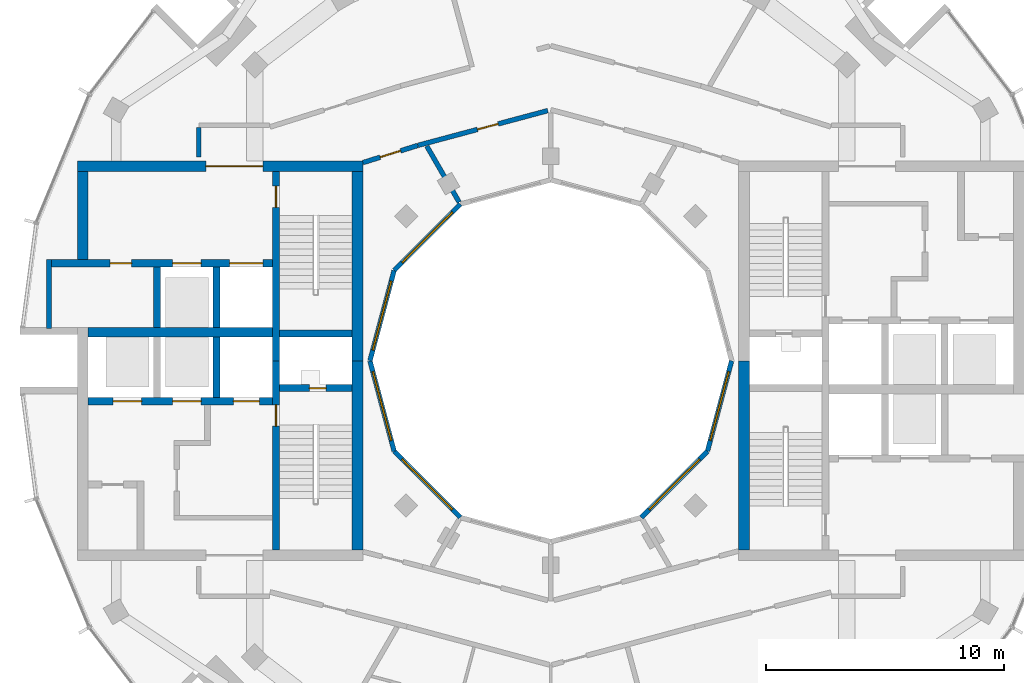
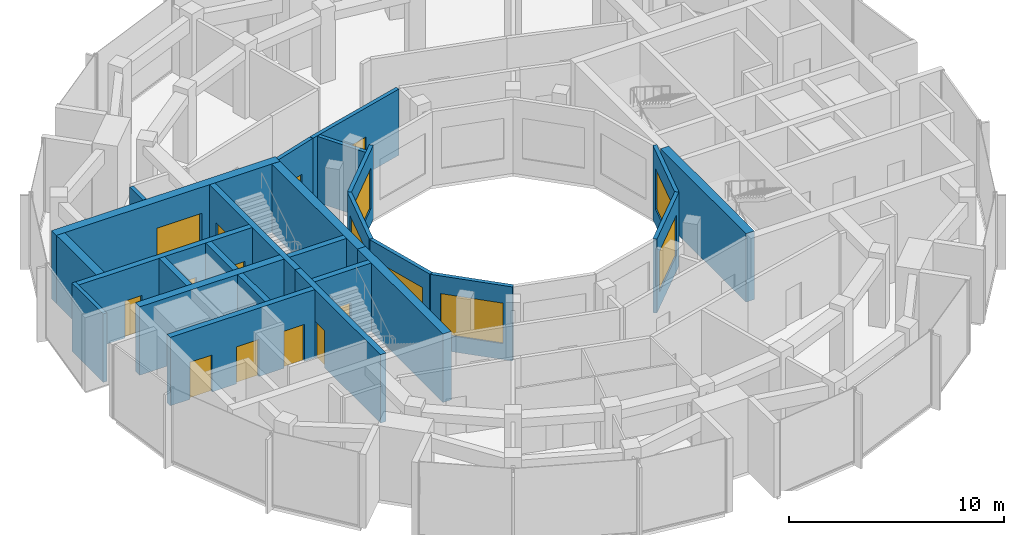
# One storey, part 9 of 13: 26 walls, 12 doors, 6 windows, 18 openings.
"""IFC4 building model written with IfcOpenShell, lengths in metres."""

from ifc_helpers import new_model, si_unit, direction, frame, frame_2d, origin, place, context, subcontext, project, spatial, rectangle, extrude, material, layer, layer_set, type_object, element, fill, save


model = new_model("IFC4")

# Units and contexts
model_context = context("Model", 3, precision=1e-05, world=origin(), true_north=direction((0.0, 1.0)))
body_context = subcontext(model_context, "Body", "Model", "MODEL_VIEW")
ifc_project = project(units=[si_unit("LENGTHUNIT", "METRE"), si_unit("AREAUNIT", "SQUARE_METRE"), si_unit("VOLUMEUNIT", "CUBIC_METRE"), si_unit("PLANEANGLEUNIT", "RADIAN"), si_unit("MASSUNIT", "GRAM", prefix="KILO")], contexts=[model_context])

# Site, building, storey
site_placement = place(None, origin())
site = spatial("IfcSite", under=ifc_project, at=site_placement, CompositionType="ELEMENT")
building_placement = place(site_placement, origin())
building = spatial("IfcBuilding", under=site, at=building_placement, Name="Torre Brocal", CompositionType="ELEMENT")
storey_placement = place(building_placement, frame((0.0, 0.0, 296.699951171875)))
storey = spatial("IfcBuildingStorey", under=building, at=storey_placement, Name="L68", CompositionType="ELEMENT", Elevation=296.699951171875)

# Wall
ifc_material_1 = material(Name="Masonry block", Category="masonry")
ifc_layer_1 = layer(ifc_material_1, 0.199951171875)
ifc_layer_set_1 = layer_set([ifc_layer_1], Name="Masonry block")
wall_type_1 = type_object("IfcWallType", Name="CORE PARTITION 200", PredefinedType="PARTITIONING", material=ifc_layer_set_1)
wall_1_placement = place(storey_placement, frame((58.89990234375, 79.25, 0.0), z_axis=(0.0, 0.0, 1.0), x_axis=(0.0, -1.0, 0.0)))
element("IfcWall", 1, at=wall_1_placement, inside=storey, type_object=wall_type_1, Name="Wall CP200", PredefinedType="PARTITIONING", context=body_context, shape_type="SweptSolid", body=[
    extrude(rectangle(XDim=2.89990234375, YDim=0.199951171875, at=frame_2d((1.449951171875, 0.0))), origin(), (0.0, 0.0, 1.0), 3.880126953125),
])

# Wall, opening, door
ifc_material_2 = material(Name="Concrete C50", Category="concrete")
ifc_layer_2 = layer(ifc_material_2, 0.300048828125)
ifc_layer_set_2 = layer_set([ifc_layer_2], Name="Concrete C50")
wall_type_2 = type_object("IfcWallType", Name="CORE WALL 300 C50", PredefinedType="SHEAR", material=ifc_layer_set_2)
wall_2_placement = place(storey_placement, frame((68.449951171875, 75.0, 0.0), z_axis=(0.0, 0.0, 1.0), x_axis=(0.0, -1.0, 0.0)))
wall_2 = element("IfcWall", 2, at=wall_2_placement, inside=storey, type_object=wall_type_2, Name="Wall CW300-50", PredefinedType="SHEAR", context=body_context, shape_type="SweptSolid", body=[
    extrude(rectangle(XDim=7.949951171875, YDim=0.300048828125, at=frame_2d((3.97509765625, 0.0))), origin(), (0.0, 0.0, 1.0), 3.880126953125),
])
opening_1_placement = place(wall_2_placement, frame((1.85009765625, 0.0, 0.0)))
opening_1 = element("IfcOpeningElement", 3, at=opening_1_placement, cuts=wall_2, Name="Opening W-D02", PredefinedType="OPENING", context=body_context, shape_type="SweptSolid", body=[
    extrude(rectangle(XDim=0.89990234375, YDim=2.10009765625, at=frame_2d((0.449951171875, 1.050048828125))), frame((0.0, 0.159912109375, 0.0), z_axis=(0.0, -1.0, 0.0), x_axis=(1.0, 0.0, 0.0)), (0.0, 0.0, 1.0), 0.320068359375),
])
ifc_material_3 = material(Name="Steel A653", Category="steel")
door_type_1 = type_object("IfcDoorType", Name="STAIR DOOR FD120 900X2100", OperationType="SINGLE_SWING_RIGHT", PredefinedType="DOOR", material=ifc_material_3)
door_1_placement = place(opening_1_placement, origin())
door_1 = element("IfcDoor", 4, at=door_1_placement, inside=storey, type_object=door_type_1, Name="Door W-D02", OperationType="SINGLE_SWING_LEFT", OverallHeight=2.10009765625, OverallWidth=0.89990234375, PredefinedType="DOOR", context=body_context, shape_type="SweptSolid", body=[
    extrude(rectangle(XDim=0.89990234375, YDim=2.10009765625, at=frame_2d((0.449951171875, 1.050048828125))), frame((0.0, 0.02490234375, 0.0), z_axis=(0.0, -1.0, 0.0), x_axis=(1.0, 0.0, 0.0)), (0.0, 0.0, 1.0), 0.050048828125),
])
fill(opening_1, door_1)

wall_3_placement = place(storey_placement, frame((68.449951171875, 82.949951171875, 0.0), z_axis=(0.0, 0.0, 1.0), x_axis=(0.0, -1.0, 0.0)))
wall_3 = element("IfcWall", 5, at=wall_3_placement, inside=storey, type_object=wall_type_2, Name="Wall CW300-50", PredefinedType="SHEAR", context=body_context, shape_type="SweptSolid", body=[
    extrude(rectangle(XDim=7.949951171875, YDim=0.300048828125, at=frame_2d((3.97509765625, 0.0))), origin(), (0.0, 0.0, 1.0), 3.880126953125),
])
opening_2_placement = place(wall_3_placement, frame((0.60009765625, 0.0, 0.0)))
opening_2 = element("IfcOpeningElement", 6, at=opening_2_placement, cuts=wall_3, Name="Opening W-D03", PredefinedType="OPENING", context=body_context, shape_type="SweptSolid", body=[
    extrude(rectangle(XDim=0.89990234375, YDim=2.10009765625, at=frame_2d((0.449951171875, 1.050048828125))), frame((0.0, 0.159912109375, 0.0), z_axis=(0.0, -1.0, 0.0), x_axis=(1.0, 0.0, 0.0)), (0.0, 0.0, 1.0), 0.320068359375),
])
door_2_placement = place(opening_2_placement, origin())
door_2 = element("IfcDoor", 7, at=door_2_placement, inside=storey, type_object=door_type_1, Name="Door W-D03", OperationType="SINGLE_SWING_LEFT", OverallHeight=2.10009765625, OverallWidth=0.89990234375, PredefinedType="DOOR", context=body_context, shape_type="SweptSolid", body=[
    extrude(rectangle(XDim=0.89990234375, YDim=2.10009765625, at=frame_2d((0.449951171875, 1.050048828125))), frame((0.0, 0.02490234375, 0.0), z_axis=(0.0, -1.0, 0.0), x_axis=(1.0, 0.0, 0.0)), (0.0, 0.0, 1.0), 0.050048828125),
])
fill(opening_2, door_2)

wall_4_placement = place(storey_placement, frame((71.64990234375, 73.85009765625, 0.0), z_axis=(0.0, 0.0, 1.0), x_axis=(-1.0, 0.0, 0.0)))
wall_4 = element("IfcWall", 8, at=wall_4_placement, inside=storey, type_object=wall_type_2, Name="Wall CW300-50", PredefinedType="SHEAR", context=body_context, shape_type="SweptSolid", body=[
    extrude(rectangle(XDim=3.0498046875, YDim=0.300048828125, at=frame_2d((1.52490234375, 0.0))), origin(), (0.0, 0.0, 1.0), 3.880126953125),
])
opening_3_placement = place(wall_4_placement, frame((1.10009765625, 0.0, 0.0)))
opening_3 = element("IfcOpeningElement", 9, at=opening_3_placement, cuts=wall_4, Name="Opening W-D01", PredefinedType="OPENING", context=body_context, shape_type="SweptSolid", body=[
    extrude(rectangle(XDim=0.699951171875, YDim=2.0, at=frame_2d((0.35009765625, 1.0))), frame((0.0, 0.159912109375, 0.0), z_axis=(0.0, -1.0, 0.0), x_axis=(1.0, 0.0, 0.0)), (0.0, 0.0, 1.0), 0.320068359375),
])
ifc_material_4 = material(Name="Steel A653", Category="steel")
door_type_2 = type_object("IfcDoorType", Name="RISER DOOR FD120 700X2000", OperationType="SINGLE_SWING_LEFT", PredefinedType="DOOR", material=ifc_material_4)
door_3_placement = place(opening_3_placement, frame((0.699951171875, 0.0, 0.0), z_axis=(0.0, 0.0, 1.0), x_axis=(-1.0, 0.0, 0.0)))
door_3 = element("IfcDoor", 10, at=door_3_placement, inside=storey, type_object=door_type_2, Name="Door W-D01", OperationType="SINGLE_SWING_RIGHT", OverallHeight=2.0, OverallWidth=0.699951171875, PredefinedType="DOOR", context=body_context, shape_type="SweptSolid", body=[
    extrude(rectangle(XDim=0.699951171875, YDim=2.0, at=frame_2d((0.35009765625, 1.0))), frame((0.0, 0.02490234375, 0.0), z_axis=(0.0, -1.0, 0.0), x_axis=(1.0, 0.0, 0.0)), (0.0, 0.0, 1.0), 0.050048828125),
])
fill(opening_3, door_3)

# Wall
wall_5_placement = place(storey_placement, frame((71.64990234375, 76.14990234375, 0.0), z_axis=(0.0, 0.0, 1.0), x_axis=(-1.0, 0.0, 0.0)))
element("IfcWall", 11, at=wall_5_placement, inside=storey, type_object=wall_type_2, Name="Wall CW300-50", PredefinedType="SHEAR", context=body_context, shape_type="SweptSolid", body=[
    extrude(rectangle(XDim=3.0498046875, YDim=0.300048828125, at=frame_2d((1.52490234375, 0.0))), origin(), (0.0, 0.0, 1.0), 3.880126953125),
])

# Wall, openings, doors
wall_6_placement = place(storey_placement, frame((68.300048828125, 73.300048828125, 0.0), z_axis=(0.0, 0.0, 1.0), x_axis=(-1.0, 0.0, 0.0)))
wall_6 = element("IfcWall", 12, at=wall_6_placement, inside=storey, type_object=wall_type_2, Name="Wall CW300-50", PredefinedType="SHEAR", context=body_context, shape_type="SweptSolid", body=[
    extrude(rectangle(XDim=7.75, YDim=0.300048828125, at=frame_2d((3.875, 0.0))), origin(), (0.0, 0.0, 1.0), 3.880126953125),
])
opening_4_placement = place(wall_6_placement, frame((0.550048828125, 0.0, 0.0)))
opening_4 = element("IfcOpeningElement", 13, at=opening_4_placement, cuts=wall_6, Name="Opening LD", PredefinedType="OPENING", context=body_context, shape_type="SweptSolid", body=[
    extrude(rectangle(XDim=1.10009765625, YDim=2.10009765625, at=frame_2d((0.550048828125, 1.050048828125))), frame((0.0, 0.159912109375, 0.0), z_axis=(0.0, -1.0, 0.0), x_axis=(1.0, 0.0, 0.0)), (0.0, 0.0, 1.0), 0.320068359375),
])
opening_5_placement = place(wall_6_placement, frame((3.0, 0.0, 0.0)))
opening_5 = element("IfcOpeningElement", 14, at=opening_5_placement, cuts=wall_6, Name="Opening LD12", PredefinedType="OPENING", context=body_context, shape_type="SweptSolid", body=[
    extrude(rectangle(XDim=1.199951171875, YDim=2.10009765625, at=frame_2d((0.60009765625, 1.050048828125))), frame((0.0, 0.159912109375, 0.0), z_axis=(0.0, -1.0, 0.0), x_axis=(1.0, 0.0, 0.0)), (0.0, 0.0, 1.0), 0.320068359375),
])
opening_6_placement = place(wall_6_placement, frame((5.5, 0.0, 0.0)))
opening_6 = element("IfcOpeningElement", 15, at=opening_6_placement, cuts=wall_6, Name="Opening LD12", PredefinedType="OPENING", context=body_context, shape_type="SweptSolid", body=[
    extrude(rectangle(XDim=1.199951171875, YDim=2.10009765625, at=frame_2d((0.60009765625, 1.050048828125))), frame((0.0, 0.159912109375, 0.0), z_axis=(0.0, -1.0, 0.0), x_axis=(1.0, 0.0, 0.0)), (0.0, 0.0, 1.0), 0.320068359375),
])
ifc_material_5 = material(Name="Stainless steel AISI 316", Category="steel")
door_type_3 = type_object("IfcDoorType", Name="LIFT LANDING DOOR 1100X2100", OperationType="DOUBLE_DOOR_SLIDING", PredefinedType="DOOR", material=ifc_material_5)
door_4_placement = place(opening_4_placement, origin())
door_4 = element("IfcDoor", 16, at=door_4_placement, inside=storey, type_object=door_type_3, Name="Door LD", OperationType="DOUBLE_DOOR_SLIDING", OverallHeight=2.10009765625, OverallWidth=1.10009765625, PredefinedType="DOOR", context=body_context, shape_type="SweptSolid", body=[
    extrude(rectangle(XDim=1.10009765625, YDim=2.10009765625, at=frame_2d((0.550048828125, 1.050048828125))), frame((0.0, 0.02490234375, 0.0), z_axis=(0.0, -1.0, 0.0), x_axis=(1.0, 0.0, 0.0)), (0.0, 0.0, 1.0), 0.050048828125),
])
fill(opening_4, door_4)
ifc_material_6 = material(Name="Stainless steel AISI 316", Category="steel")
door_type_4 = type_object("IfcDoorType", Name="LIFT LANDING DOOR 1200X2100", OperationType="DOUBLE_DOOR_SLIDING", PredefinedType="DOOR", material=ifc_material_6)
door_5_placement = place(opening_5_placement, origin())
door_5 = element("IfcDoor", 17, at=door_5_placement, inside=storey, type_object=door_type_4, Name="Door LD12", OperationType="DOUBLE_DOOR_SLIDING", OverallHeight=2.10009765625, OverallWidth=1.199951171875, PredefinedType="DOOR", context=body_context, shape_type="SweptSolid", body=[
    extrude(rectangle(XDim=1.199951171875, YDim=2.10009765625, at=frame_2d((0.60009765625, 1.050048828125))), frame((0.0, 0.02490234375, 0.0), z_axis=(0.0, -1.0, 0.0), x_axis=(1.0, 0.0, 0.0)), (0.0, 0.0, 1.0), 0.050048828125),
])
fill(opening_5, door_5)
door_6_placement = place(opening_6_placement, origin())
door_6 = element("IfcDoor", 18, at=door_6_placement, inside=storey, type_object=door_type_4, Name="Door LD12", OperationType="DOUBLE_DOOR_SLIDING", OverallHeight=2.10009765625, OverallWidth=1.199951171875, PredefinedType="DOOR", context=body_context, shape_type="SweptSolid", body=[
    extrude(rectangle(XDim=1.199951171875, YDim=2.10009765625, at=frame_2d((0.60009765625, 1.050048828125))), frame((0.0, 0.02490234375, 0.0), z_axis=(0.0, -1.0, 0.0), x_axis=(1.0, 0.0, 0.0)), (0.0, 0.0, 1.0), 0.050048828125),
])
fill(opening_6, door_6)

wall_7_placement = place(storey_placement, frame((68.300048828125, 79.10009765625, 0.0), z_axis=(0.0, 0.0, 1.0), x_axis=(-1.0, 0.0, 0.0)))
wall_7 = element("IfcWall", 19, at=wall_7_placement, inside=storey, type_object=wall_type_2, Name="Wall CW300-50", PredefinedType="SHEAR", context=body_context, shape_type="SweptSolid", body=[
    extrude(rectangle(XDim=9.300048828125, YDim=0.300048828125, at=frame_2d((4.64990234375, 0.0))), origin(), (0.0, 0.0, 1.0), 3.880126953125),
])
opening_7_placement = place(wall_7_placement, frame((0.39990234375, 0.0, 0.0)))
opening_7 = element("IfcOpeningElement", 20, at=opening_7_placement, cuts=wall_7, Name="Opening LD14", PredefinedType="OPENING", context=body_context, shape_type="SweptSolid", body=[
    extrude(rectangle(XDim=1.39990234375, YDim=2.10009765625, at=frame_2d((0.699951171875, 1.050048828125))), frame((0.0, 0.159912109375, 0.0), z_axis=(0.0, -1.0, 0.0), x_axis=(1.0, 0.0, 0.0)), (0.0, 0.0, 1.0), 0.320068359375),
])
opening_8_placement = place(wall_7_placement, frame((3.0, 0.0, 0.0)))
opening_8 = element("IfcOpeningElement", 21, at=opening_8_placement, cuts=wall_7, Name="Opening LD12", PredefinedType="OPENING", context=body_context, shape_type="SweptSolid", body=[
    extrude(rectangle(XDim=1.199951171875, YDim=2.10009765625, at=frame_2d((0.60009765625, 1.050048828125))), frame((0.0, 0.159912109375, 0.0), z_axis=(0.0, -1.0, 0.0), x_axis=(1.0, 0.0, 0.0)), (0.0, 0.0, 1.0), 0.320068359375),
])
opening_9_placement = place(wall_7_placement, frame((5.925048828125, 0.0, 0.0)))
opening_9 = element("IfcOpeningElement", 22, at=opening_9_placement, cuts=wall_7, Name="Opening W-D04", PredefinedType="OPENING", context=body_context, shape_type="SweptSolid", body=[
    extrude(rectangle(XDim=0.89990234375, YDim=2.10009765625, at=frame_2d((0.449951171875, 1.050048828125))), frame((0.0, 0.159912109375, 0.0), z_axis=(0.0, -1.0, 0.0), x_axis=(1.0, 0.0, 0.0)), (0.0, 0.0, 1.0), 0.320068359375),
])
door_7_placement = place(opening_8_placement, origin())
door_7 = element("IfcDoor", 23, at=door_7_placement, inside=storey, type_object=door_type_4, Name="Door LD12", OperationType="DOUBLE_DOOR_SLIDING", OverallHeight=2.10009765625, OverallWidth=1.199951171875, PredefinedType="DOOR", context=body_context, shape_type="SweptSolid", body=[
    extrude(rectangle(XDim=1.199951171875, YDim=2.10009765625, at=frame_2d((0.60009765625, 1.050048828125))), frame((0.0, 0.02490234375, 0.0), z_axis=(0.0, -1.0, 0.0), x_axis=(1.0, 0.0, 0.0)), (0.0, 0.0, 1.0), 0.050048828125),
])
fill(opening_8, door_7)
ifc_material_7 = material(Name="Stainless steel AISI 316", Category="steel")
door_type_5 = type_object("IfcDoorType", Name="LIFT LANDING DOOR 1400X2100", OperationType="DOUBLE_DOOR_SLIDING", PredefinedType="DOOR", material=ifc_material_7)
door_8_placement = place(opening_7_placement, origin())
door_8 = element("IfcDoor", 24, at=door_8_placement, inside=storey, type_object=door_type_5, Name="Door LD14", OperationType="DOUBLE_DOOR_SLIDING", OverallHeight=2.10009765625, OverallWidth=1.39990234375, PredefinedType="DOOR", context=body_context, shape_type="SweptSolid", body=[
    extrude(rectangle(XDim=1.39990234375, YDim=2.10009765625, at=frame_2d((0.699951171875, 1.050048828125))), frame((0.0, 0.02490234375, 0.0), z_axis=(0.0, -1.0, 0.0), x_axis=(1.0, 0.0, 0.0)), (0.0, 0.0, 1.0), 0.050048828125),
])
fill(opening_7, door_8)
ifc_material_8 = material(Name="Steel A653", Category="steel")
door_type_6 = type_object("IfcDoorType", Name="ROOM DOOR FD30S 900X2100", OperationType="SINGLE_SWING_LEFT", PredefinedType="DOOR", material=ifc_material_8)
door_9_placement = place(opening_9_placement, origin())
door_9 = element("IfcDoor", 25, at=door_9_placement, inside=storey, type_object=door_type_6, Name="Door W-D04", OperationType="SINGLE_SWING_LEFT", OverallHeight=2.10009765625, OverallWidth=0.89990234375, PredefinedType="DOOR", context=body_context, shape_type="SweptSolid", body=[
    extrude(rectangle(XDim=0.89990234375, YDim=2.10009765625, at=frame_2d((0.449951171875, 1.050048828125))), frame((0.0, 0.02490234375, 0.0), z_axis=(0.0, -1.0, 0.0), x_axis=(1.0, 0.0, 0.0)), (0.0, 0.0, 1.0), 0.050048828125),
])
fill(opening_9, door_9)

# Walls
for number, where, z_axis, x_axis, name in (
    (26, (65.949951171875, 76.0, 0.0), (0.0, 0.0, 1.0), (0.0, -1.0, 0.0), "Wall CW300-50"),
    (27, (65.949951171875, 78.949951171875, 0.0), (0.0, 0.0, 1.0), (0.0, -1.0, 0.0), "Wall CW300-50"),
    (28, (63.449951171875, 78.949951171875, 0.0), (0.0, 0.0, 1.0), (0.0, -1.0, 0.0), "Wall CW300-50"),
):
    element("IfcWall", number, at=place(storey_placement, frame(where, z_axis=z_axis, x_axis=x_axis)), inside=storey, type_object=wall_type_2, Name=name, PredefinedType="SHEAR", context=body_context, shape_type="SweptSolid", body=[
        extrude(rectangle(XDim=2.550048828125, YDim=0.300048828125, at=frame_2d((1.27490234375, 0.0))), origin(), (0.0, 0.0, 1.0), 3.880126953125),
    ])
ifc_material_9 = material(Name="Concrete C50", Category="concrete")
ifc_layer_3 = layer(ifc_material_9, 0.39990234375)
ifc_layer_set_3 = layer_set([ifc_layer_3], Name="Concrete C50")
wall_type_3 = type_object("IfcWallType", Name="CORE WALL 400 C50", PredefinedType="SHEAR", material=ifc_layer_set_3)
wall_8_placement = place(storey_placement, frame((68.300048828125, 76.199951171875, 0.0), z_axis=(0.0, 0.0, 1.0), x_axis=(-1.0, 0.0, 0.0)))
element("IfcWall", 29, at=wall_8_placement, inside=storey, type_object=wall_type_3, Name="Wall CW400-50", PredefinedType="SHEAR", context=body_context, shape_type="SweptSolid", body=[
    extrude(rectangle(XDim=7.75, YDim=0.39990234375, at=frame_2d((3.875, 0.0))), origin(), (0.0, 0.0, 1.0), 3.880126953125),
])
ifc_material_10 = material(Name="Concrete C50", Category="concrete")
ifc_layer_4 = layer(ifc_material_10, 0.449951171875)
ifc_layer_set_4 = layer_set([ifc_layer_4], Name="Concrete C50")
wall_type_4 = type_object("IfcWallType", Name="CORE WALL 450 C50", PredefinedType="SHEAR", material=ifc_layer_set_4)
wall_9_placement = place(storey_placement, frame((88.125, 67.050048828125, 0.0), z_axis=(0.0, 0.0, 1.0), x_axis=(0.0, 1.0, 0.0)))
element("IfcWall", 30, at=wall_9_placement, inside=storey, type_object=wall_type_4, Name="Wall CW450-50", PredefinedType="SHEAR", context=body_context, shape_type="SweptSolid", body=[
    extrude(rectangle(XDim=7.949951171875, YDim=0.449951171875, at=frame_2d((3.97509765625, 0.0))), origin(), (0.0, 0.0, 1.0), 3.880126953125),
])

# Wall, opening, door
wall_10_placement = place(storey_placement, frame((72.10009765625, 83.175048828125, 0.0), z_axis=(0.0, 0.0, 1.0), x_axis=(-1.0, 0.0, 0.0)))
wall_10 = element("IfcWall", 31, at=wall_10_placement, inside=storey, type_object=wall_type_4, Name="Wall CW450-50", PredefinedType="SHEAR", context=body_context, shape_type="SweptSolid", body=[
    extrude(rectangle(XDim=12.0, YDim=0.449951171875, at=frame_2d((6.0, 0.0))), origin(), (0.0, 0.0, 1.0), 3.880126953125),
])
opening_10_placement = place(wall_10_placement, frame((4.199951171875, 0.0, 0.0)))
opening_10 = element("IfcOpeningElement", 32, at=opening_10_placement, cuts=wall_10, Name="Opening W-D27", PredefinedType="OPENING", context=body_context, shape_type="SweptSolid", body=[
    extrude(rectangle(XDim=2.39990234375, YDim=2.39990234375, at=frame_2d((1.199951171875, 1.199951171875))), frame((0.0, 0.23486328125, 0.0), z_axis=(0.0, -1.0, 0.0), x_axis=(1.0, 0.0, 0.0)), (0.0, 0.0, 1.0), 0.469970703125),
])
ifc_material_11 = material(Name="Steel A653", Category="steel")
door_type_7 = type_object("IfcDoorType", Name="DOUBLE FIRE DOOR FD90 2400X2400", OperationType="DOUBLE_DOOR_SINGLE_SWING", PredefinedType="DOOR", material=ifc_material_11)
door_10_placement = place(opening_10_placement, origin())
door_10 = element("IfcDoor", 33, at=door_10_placement, inside=storey, type_object=door_type_7, Name="Door W-D27", OperationType="DOUBLE_DOOR_SINGLE_SWING", OverallHeight=2.39990234375, OverallWidth=2.39990234375, PredefinedType="DOOR", context=body_context, shape_type="SweptSolid", body=[
    extrude(rectangle(XDim=2.39990234375, YDim=2.39990234375, at=frame_2d((1.199951171875, 1.199951171875))), frame((0.0, 0.02490234375, 0.0), z_axis=(0.0, -1.0, 0.0), x_axis=(1.0, 0.0, 0.0)), (0.0, 0.0, 1.0), 0.050048828125),
])
fill(opening_10, door_10)

# Walls
for number, where, z_axis, x_axis, name in (
    (34, (71.875, 75.0, 0.0), (0.0, 0.0, 1.0), (0.0, -1.0, 0.0), "Wall CW450-50"),
    (35, (71.875, 82.949951171875, 0.0), (0.0, 0.0, 1.0), (0.0, -1.0, 0.0), "Wall CW450-50"),
):
    element("IfcWall", number, at=place(storey_placement, frame(where, z_axis=z_axis, x_axis=x_axis)), inside=storey, type_object=wall_type_4, Name=name, PredefinedType="SHEAR", context=body_context, shape_type="SweptSolid", body=[
        extrude(rectangle(XDim=7.949951171875, YDim=0.449951171875, at=frame_2d((3.97509765625, 0.0))), origin(), (0.0, 0.0, 1.0), 3.880126953125),
    ])
wall_11_placement = place(storey_placement, frame((60.324951171875, 82.949951171875, 0.0), z_axis=(0.0, 0.0, 1.0), x_axis=(0.0, -1.0, 0.0)))
element("IfcWall", 36, at=wall_11_placement, inside=storey, type_object=wall_type_4, Name="Wall CW450-50", PredefinedType="SHEAR", context=body_context, shape_type="SweptSolid", body=[
    extrude(rectangle(XDim=3.699951171875, YDim=0.449951171875, at=frame_2d((1.85009765625, 0.0))), origin(), (0.0, 0.0, 1.0), 3.880126953125),
])
ifc_material_12 = material(Name="Gypsum board", Category="Gypsum")
ifc_layer_5 = layer(ifc_material_12, 0.199951171875)
ifc_layer_set_5 = layer_set([ifc_layer_5], Name="Gypsum board")
wall_type_5 = type_object("IfcWallType", Name="PARTITION 200 EI60", PredefinedType="PARTITIONING", material=ifc_layer_set_5)
wall_12_placement = place(storey_placement, frame((65.199951171875, 83.576904296875, 0.0), z_axis=(0.0, 0.0, 1.0), x_axis=(0.0, 1.0, 0.0)))
element("IfcWall", 37, at=wall_12_placement, inside=storey, type_object=wall_type_5, Name="FLAT ENTRANCE WALL", PredefinedType="PARTITIONING", context=body_context, shape_type="SweptSolid", body=[
    extrude(rectangle(XDim=1.22314453125, YDim=0.199951171875, at=frame_2d((0.611572265625, 0.0))), origin(), (0.0, 0.0, 1.0), 3.75),
])

# Wall, opening, door
wall_13_placement = place(storey_placement, frame((72.10009765625, 83.33203125, 0.0), z_axis=(0.0, 0.0, 1.0), x_axis=(0.954233106619, 0.299063836383, 0.0)))
wall_13 = element("IfcWall", 38, at=wall_13_placement, inside=storey, type_object=wall_type_5, Name="CORRIDOR WALL", PredefinedType="PARTITIONING", context=body_context, shape_type="SweptSolid", body=[
    extrude(rectangle(XDim=2.4140625, YDim=0.199951171875, at=frame_2d((1.20703125, 0.0))), origin(), (0.0, 0.0, 1.0), 3.75),
])
opening_11_placement = place(wall_13_placement, frame((0.761962890625, 0.0, 0.0)))
opening_11 = element("IfcOpeningElement", 39, at=opening_11_placement, cuts=wall_13, Name="Opening N03-D07", PredefinedType="OPENING", context=body_context, shape_type="SweptSolid", body=[
    extrude(rectangle(XDim=0.89990234375, YDim=2.10009765625, at=frame_2d((0.449951171875, 1.050048828125))), frame((0.0, 0.10986328125, 0.0), z_axis=(0.0, -1.0, 0.0), x_axis=(1.0, 0.0, 0.0)), (0.0, 0.0, 1.0), 0.219970703125),
])
ifc_material_13 = material(Name="Timber", Category="wood")
door_type_8 = type_object("IfcDoorType", Name="ROOM DOOR 900X2100", OperationType="SINGLE_SWING_LEFT", PredefinedType="DOOR", material=ifc_material_13)
door_11_placement = place(opening_11_placement, frame((0.89990234375, 0.0, 0.0), z_axis=(0.0, 0.0, 1.0), x_axis=(-1.0, 0.0, 0.0)))
door_11 = element("IfcDoor", 40, at=door_11_placement, inside=storey, type_object=door_type_8, Name="N03-D07", OperationType="SINGLE_SWING_RIGHT", OverallHeight=2.10009765625, OverallWidth=0.89990234375, PredefinedType="DOOR", context=body_context, shape_type="SweptSolid", body=[
    extrude(rectangle(XDim=0.89990234375, YDim=2.10009765625, at=frame_2d((0.449951171875, 1.050048828125))), frame((0.0, 0.02490234375, 0.0), z_axis=(0.0, -1.0, 0.0), x_axis=(1.0, 0.0, 0.0)), (0.0, 0.0, 1.0), 0.050048828125),
])
fill(opening_11, door_11)

wall_14_placement = place(storey_placement, frame((74.4130859375, 84.056884765625, 0.0), z_axis=(0.0, 0.0, 1.0), x_axis=(0.965972135939, 0.258646153246, 0.0)))
wall_14 = element("IfcWall", 41, at=wall_14_placement, inside=storey, type_object=wall_type_5, Name="CORRIDOR WALL", PredefinedType="PARTITIONING", context=body_context, shape_type="SweptSolid", body=[
    extrude(rectangle(XDim=5.654052734375, YDim=0.199951171875, at=frame_2d((2.8271484375, 0.0))), origin(), (0.0, 0.0, 1.0), 3.75),
])
opening_12_placement = place(wall_14_placement, frame((2.5927734375, 0.0, 0.0)))
opening_12 = element("IfcOpeningElement", 42, at=opening_12_placement, cuts=wall_14, Name="Opening N03-D06", PredefinedType="OPENING", context=body_context, shape_type="SweptSolid", body=[
    extrude(rectangle(XDim=0.89990234375, YDim=2.10009765625, at=frame_2d((0.449951171875, 1.050048828125))), frame((0.0, 0.10986328125, 0.0), z_axis=(0.0, -1.0, 0.0), x_axis=(1.0, 0.0, 0.0)), (0.0, 0.0, 1.0), 0.219970703125),
])
door_12_placement = place(opening_12_placement, frame((0.89990234375, 0.0, 0.0), z_axis=(0.0, 0.0, 1.0), x_axis=(-1.0, 0.0, 0.0)))
door_12 = element("IfcDoor", 43, at=door_12_placement, inside=storey, type_object=door_type_8, Name="N03-D06", OperationType="SINGLE_SWING_RIGHT", OverallHeight=2.10009765625, OverallWidth=0.89990234375, PredefinedType="DOOR", context=body_context, shape_type="SweptSolid", body=[
    extrude(rectangle(XDim=0.89990234375, YDim=2.10009765625, at=frame_2d((0.449951171875, 1.050048828125))), frame((0.0, 0.02490234375, 0.0), z_axis=(0.0, -1.0, 0.0), x_axis=(1.0, 0.0, 0.0)), (0.0, 0.0, 1.0), 0.050048828125),
])
fill(opening_12, door_12)

# Wall
wall_15_placement = place(storey_placement, frame((74.787353515625, 84.027099609375, 0.0), z_axis=(0.0, 0.0, 1.0), x_axis=(0.500079107518, -0.86597972622, 0.0)))
element("IfcWall", 44, at=wall_15_placement, inside=storey, type_object=wall_type_5, Name="PARTY PARTITION", PredefinedType="PARTITIONING", context=body_context, shape_type="SweptSolid", body=[
    extrude(rectangle(XDim=2.7255859375, YDim=0.199951171875, at=frame_2d((1.36279296875, 0.0))), origin(), (0.0, 0.0, 1.0), 3.75),
])

# Wall, opening, window
ifc_material_14 = material(Name="Concrete C40", Category="concrete")
ifc_layer_6 = layer(ifc_material_14, 0.199951171875)
ifc_layer_set_6 = layer_set([ifc_layer_6], Name="Concrete C40")
wall_type_6 = type_object("IfcWallType", Name="WELL FACADE WALL 200", PredefinedType="NOTDEFINED", material=ifc_layer_set_6)
wall_16_placement = place(storey_placement, frame((76.1982421875, 81.5849609375, 0.0), z_axis=(0.0, 0.0, 1.0), x_axis=(-0.707106781187, -0.707106781187, 0.0)))
wall_16 = element("IfcWall", 45, at=wall_16_placement, inside=storey, type_object=wall_type_6, Name="WELL FACADE WALL", PredefinedType="NOTDEFINED", context=body_context, shape_type="SweptSolid", body=[
    extrude(rectangle(XDim=3.93603515625, YDim=0.199951171875, at=frame_2d((1.968017578125, 0.0))), origin(), (0.0, 0.0, 1.0), 4.199951171875),
])
opening_13_placement = place(wall_16_placement, frame((0.468017578125, 0.0, 0.89990234375)))
opening_13 = element("IfcOpeningElement", 46, at=opening_13_placement, cuts=wall_16, Name="Opening W1", PredefinedType="OPENING", context=body_context, shape_type="SweptSolid", body=[
    extrude(rectangle(XDim=3.0, YDim=2.300048828125, at=frame_2d((1.5, 1.14990234375))), frame((0.0, 0.10986328125, 0.0), z_axis=(0.0, -1.0, 0.0), x_axis=(1.0, 0.0, 0.0)), (0.0, 0.0, 1.0), 0.219970703125),
])
ifc_material_15 = material(Name="Aluminium and glass", Category="aluminium")
window_type = type_object("IfcWindowType", Name="WELL WINDOW 3000X2300", PartitioningType="SINGLE_PANEL", PredefinedType="WINDOW", material=ifc_material_15)
window_1_placement = place(opening_13_placement, origin())
window_1 = element("IfcWindow", 47, at=window_1_placement, inside=storey, type_object=window_type, Name="WELL WINDOW 3000X2300", OverallHeight=2.300048828125, OverallWidth=3.0, PartitioningType="SINGLE_PANEL", PredefinedType="WINDOW", context=body_context, shape_type="SweptSolid", body=[
    extrude(rectangle(XDim=3.0, YDim=2.300048828125, at=frame_2d((1.5, 1.14990234375))), frame((0.0, 0.030029296875, 0.0), z_axis=(0.0, -1.0, 0.0), x_axis=(1.0, 0.0, 0.0)), (0.0, 0.0, 1.0), 0.06005859375),
])
fill(opening_13, window_1)

wall_17_placement = place(storey_placement, frame((73.4150390625, 78.8017578125, 0.0), z_axis=(0.0, 0.0, 1.0), x_axis=(-0.258789828301, -0.965933654434, 0.0)))
wall_17 = element("IfcWall", 48, at=wall_17_placement, inside=storey, type_object=wall_type_6, Name="WELL FACADE WALL", PredefinedType="NOTDEFINED", context=body_context, shape_type="SweptSolid", body=[
    extrude(rectangle(XDim=3.935791015625, YDim=0.199951171875, at=frame_2d((1.9677734375, 0.0))), origin(), (0.0, 0.0, 1.0), 4.199951171875),
])
opening_14_placement = place(wall_17_placement, frame((0.468017578125, 0.0, 0.89990234375)))
opening_14 = element("IfcOpeningElement", 49, at=opening_14_placement, cuts=wall_17, Name="Opening W1", PredefinedType="OPENING", context=body_context, shape_type="SweptSolid", body=[
    extrude(rectangle(XDim=3.0, YDim=2.300048828125, at=frame_2d((1.5, 1.14990234375))), frame((0.0, 0.10986328125, 0.0), z_axis=(0.0, -1.0, 0.0), x_axis=(1.0, 0.0, 0.0)), (0.0, 0.0, 1.0), 0.219970703125),
])
window_2_placement = place(opening_14_placement, origin())
window_2 = element("IfcWindow", 50, at=window_2_placement, inside=storey, type_object=window_type, Name="WELL WINDOW 3000X2300", OverallHeight=2.300048828125, OverallWidth=3.0, PartitioningType="SINGLE_PANEL", PredefinedType="WINDOW", context=body_context, shape_type="SweptSolid", body=[
    extrude(rectangle(XDim=3.0, YDim=2.300048828125, at=frame_2d((1.5, 1.14990234375))), frame((0.0, 0.030029296875, 0.0), z_axis=(0.0, -1.0, 0.0), x_axis=(1.0, 0.0, 0.0)), (0.0, 0.0, 1.0), 0.06005859375),
])
fill(opening_14, window_2)

wall_18_placement = place(storey_placement, frame((72.396484375, 75.0, 0.0), z_axis=(0.0, 0.0, 1.0), x_axis=(0.258789828301, -0.965933654434, 0.0)))
wall_18 = element("IfcWall", 51, at=wall_18_placement, inside=storey, type_object=wall_type_6, Name="WELL FACADE WALL", PredefinedType="NOTDEFINED", context=body_context, shape_type="SweptSolid", body=[
    extrude(rectangle(XDim=3.935791015625, YDim=0.199951171875, at=frame_2d((1.9677734375, 0.0))), origin(), (0.0, 0.0, 1.0), 4.199951171875),
])
opening_15_placement = place(wall_18_placement, frame((0.468017578125, 0.0, 0.89990234375)))
opening_15 = element("IfcOpeningElement", 52, at=opening_15_placement, cuts=wall_18, Name="Opening W1", PredefinedType="OPENING", context=body_context, shape_type="SweptSolid", body=[
    extrude(rectangle(XDim=3.0, YDim=2.300048828125, at=frame_2d((1.5, 1.14990234375))), frame((0.0, 0.10986328125, 0.0), z_axis=(0.0, -1.0, 0.0), x_axis=(1.0, 0.0, 0.0)), (0.0, 0.0, 1.0), 0.219970703125),
])
window_3_placement = place(opening_15_placement, origin())
window_3 = element("IfcWindow", 53, at=window_3_placement, inside=storey, type_object=window_type, Name="WELL WINDOW 3000X2300", OverallHeight=2.300048828125, OverallWidth=3.0, PartitioningType="SINGLE_PANEL", PredefinedType="WINDOW", context=body_context, shape_type="SweptSolid", body=[
    extrude(rectangle(XDim=3.0, YDim=2.300048828125, at=frame_2d((1.5, 1.14990234375))), frame((0.0, 0.030029296875, 0.0), z_axis=(0.0, -1.0, 0.0), x_axis=(1.0, 0.0, 0.0)), (0.0, 0.0, 1.0), 0.06005859375),
])
fill(opening_15, window_3)

wall_19_placement = place(storey_placement, frame((73.4150390625, 71.1982421875, 0.0), z_axis=(0.0, 0.0, 1.0), x_axis=(0.707106781187, -0.707106781187, 0.0)))
wall_19 = element("IfcWall", 54, at=wall_19_placement, inside=storey, type_object=wall_type_6, Name="WELL FACADE WALL", PredefinedType="NOTDEFINED", context=body_context, shape_type="SweptSolid", body=[
    extrude(rectangle(XDim=3.93603515625, YDim=0.199951171875, at=frame_2d((1.968017578125, 0.0))), origin(), (0.0, 0.0, 1.0), 4.199951171875),
])
opening_16_placement = place(wall_19_placement, frame((0.468017578125, 0.0, 0.89990234375)))
opening_16 = element("IfcOpeningElement", 55, at=opening_16_placement, cuts=wall_19, Name="Opening W1", PredefinedType="OPENING", context=body_context, shape_type="SweptSolid", body=[
    extrude(rectangle(XDim=3.0, YDim=2.300048828125, at=frame_2d((1.5, 1.14990234375))), frame((0.0, 0.10986328125, 0.0), z_axis=(0.0, -1.0, 0.0), x_axis=(1.0, 0.0, 0.0)), (0.0, 0.0, 1.0), 0.219970703125),
])
window_4_placement = place(opening_16_placement, origin())
window_4 = element("IfcWindow", 56, at=window_4_placement, inside=storey, type_object=window_type, Name="WELL WINDOW 3000X2300", OverallHeight=2.300048828125, OverallWidth=3.0, PartitioningType="SINGLE_PANEL", PredefinedType="WINDOW", context=body_context, shape_type="SweptSolid", body=[
    extrude(rectangle(XDim=3.0, YDim=2.300048828125, at=frame_2d((1.5, 1.14990234375))), frame((0.0, 0.030029296875, 0.0), z_axis=(0.0, -1.0, 0.0), x_axis=(1.0, 0.0, 0.0)), (0.0, 0.0, 1.0), 0.06005859375),
])
fill(opening_16, window_4)

wall_20_placement = place(storey_placement, frame((83.8017578125, 68.4150390625, 0.0), z_axis=(0.0, 0.0, 1.0), x_axis=(0.707106781187, 0.707106781187, 0.0)))
wall_20 = element("IfcWall", 57, at=wall_20_placement, inside=storey, type_object=wall_type_6, Name="WELL FACADE WALL", PredefinedType="NOTDEFINED", context=body_context, shape_type="SweptSolid", body=[
    extrude(rectangle(XDim=3.93603515625, YDim=0.199951171875, at=frame_2d((1.968017578125, 0.0))), origin(), (0.0, 0.0, 1.0), 4.199951171875),
])
opening_17_placement = place(wall_20_placement, frame((0.468017578125, 0.0, 0.89990234375)))
opening_17 = element("IfcOpeningElement", 58, at=opening_17_placement, cuts=wall_20, Name="Opening W1", PredefinedType="OPENING", context=body_context, shape_type="SweptSolid", body=[
    extrude(rectangle(XDim=3.0, YDim=2.300048828125, at=frame_2d((1.5, 1.14990234375))), frame((0.0, 0.10986328125, 0.0), z_axis=(0.0, -1.0, 0.0), x_axis=(1.0, 0.0, 0.0)), (0.0, 0.0, 1.0), 0.219970703125),
])
window_5_placement = place(opening_17_placement, origin())
window_5 = element("IfcWindow", 59, at=window_5_placement, inside=storey, type_object=window_type, Name="WELL WINDOW 3000X2300", OverallHeight=2.300048828125, OverallWidth=3.0, PartitioningType="SINGLE_PANEL", PredefinedType="WINDOW", context=body_context, shape_type="SweptSolid", body=[
    extrude(rectangle(XDim=3.0, YDim=2.300048828125, at=frame_2d((1.5, 1.14990234375))), frame((0.0, 0.030029296875, 0.0), z_axis=(0.0, -1.0, 0.0), x_axis=(1.0, 0.0, 0.0)), (0.0, 0.0, 1.0), 0.06005859375),
])
fill(opening_17, window_5)

wall_21_placement = place(storey_placement, frame((86.5849609375, 71.1982421875, 0.0), z_axis=(0.0, 0.0, 1.0), x_axis=(0.258789828301, 0.965933654434, 0.0)))
wall_21 = element("IfcWall", 60, at=wall_21_placement, inside=storey, type_object=wall_type_6, Name="WELL FACADE WALL", PredefinedType="NOTDEFINED", context=body_context, shape_type="SweptSolid", body=[
    extrude(rectangle(XDim=3.935791015625, YDim=0.199951171875, at=frame_2d((1.9677734375, 0.0))), origin(), (0.0, 0.0, 1.0), 4.199951171875),
])
opening_18_placement = place(wall_21_placement, frame((0.468017578125, 0.0, 0.89990234375)))
opening_18 = element("IfcOpeningElement", 61, at=opening_18_placement, cuts=wall_21, Name="Opening W1", PredefinedType="OPENING", context=body_context, shape_type="SweptSolid", body=[
    extrude(rectangle(XDim=3.0, YDim=2.300048828125, at=frame_2d((1.5, 1.14990234375))), frame((0.0, 0.10986328125, 0.0), z_axis=(0.0, -1.0, 0.0), x_axis=(1.0, 0.0, 0.0)), (0.0, 0.0, 1.0), 0.219970703125),
])
window_6_placement = place(opening_18_placement, origin())
window_6 = element("IfcWindow", 62, at=window_6_placement, inside=storey, type_object=window_type, Name="WELL WINDOW 3000X2300", OverallHeight=2.300048828125, OverallWidth=3.0, PartitioningType="SINGLE_PANEL", PredefinedType="WINDOW", context=body_context, shape_type="SweptSolid", body=[
    extrude(rectangle(XDim=3.0, YDim=2.300048828125, at=frame_2d((1.5, 1.14990234375))), frame((0.0, 0.030029296875, 0.0), z_axis=(0.0, -1.0, 0.0), x_axis=(1.0, 0.0, 0.0)), (0.0, 0.0, 1.0), 0.06005859375),
])
fill(opening_18, window_6)

save(model, "model.ifc")
